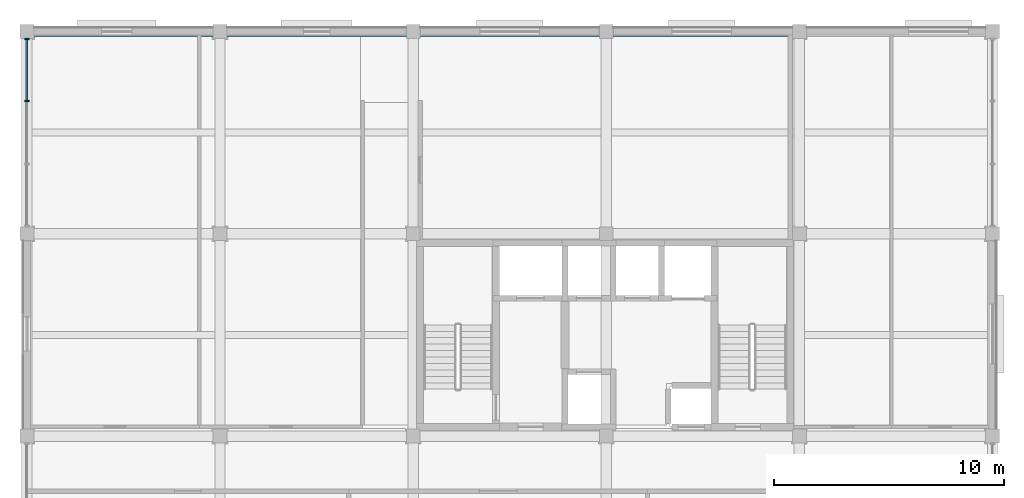
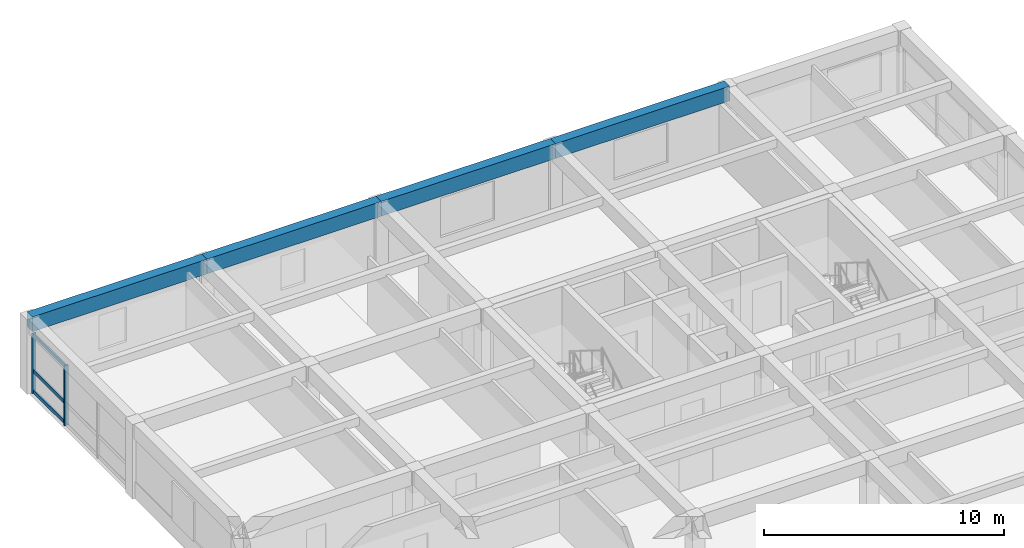
# One storey, part 5 of 14: 5 members, 4 beams, 1 element without a shape of its own.
"""IFC4 building model written with IfcOpenShell, lengths in metres."""

from ifc_helpers import new_model, si_unit, direction, frame, origin, origin_2d, place, context, subcontext, project, spatial, rectangle, extrude, material, material_profile, profile_set, type_object, element, aggregate, save


model = new_model("IFC4")

# Units and contexts
model_context = context("Model", 3, precision=1e-05, world=origin(), true_north=direction((0.0, 1.0)))
body_context = subcontext(model_context, "Body", "Model", "MODEL_VIEW")
ifc_project = project(units=[si_unit("LENGTHUNIT", "METRE"), si_unit("AREAUNIT", "SQUARE_METRE"), si_unit("VOLUMEUNIT", "CUBIC_METRE"), si_unit("PLANEANGLEUNIT", "RADIAN"), si_unit("MASSUNIT", "GRAM", prefix="KILO")], contexts=[model_context])

# Site, building, storey
site_placement = place(None, origin())
site = spatial("IfcSite", under=ifc_project, at=site_placement, CompositionType="ELEMENT")
building_placement = place(site_placement, origin())
building = spatial("IfcBuilding", under=site, at=building_placement, Name="Kemercrest Conservatory and Botanical Centre", CompositionType="ELEMENT")
storey_placement = place(building_placement, frame((0.0, 0.0, 44.39990234375)))
storey = spatial("IfcBuildingStorey", under=building, at=storey_placement, Name="L11", CompositionType="ELEMENT", Elevation=44.39990234375)

# Curtain wall, members
ifc_material_1 = material(Name="Thermally broken aluminium and triple low-e glazing", Category="aluminium")
curtain_wall_type = type_object("IfcCurtainWallType", Name="CW-07", PredefinedType="USERDEFINED", material=ifc_material_1)
curtain_wall_placement = place(storey_placement, origin())
curtain_wall = element("IfcCurtainWall", 1, at=curtain_wall_placement, inside=storey, type_object=curtain_wall_type, Name="Unitised curtain wall CW-07 (CW:L11:V4-126)", ObjectType="UNITISED CURTAIN WALL", PredefinedType="USERDEFINED")
ifc_material_2 = material(Name="Thermally broken anodized aluminium 6063-T6", Category="aluminium")
ifc_material_profile_1 = material_profile(ifc_material_2, rectangle(XDim=0.199951171875, YDim=0.06494140625, at=origin_2d()), Name="AL MULLION 65x200")
ifc_profile_set_1 = profile_set([ifc_material_profile_1], Name="Thermally broken anodized aluminium 6063-T6")
member_type_1 = type_object("IfcMemberType", Name="CW-M200", PredefinedType="MULLION", material=ifc_profile_set_1)
member_1_placement = place(storey_placement, frame((134.0, 122.072509765625, 0.0), z_axis=(0.0, 0.0, 1.0), x_axis=(1.0, 0.0, 0.0)))
member_1 = element("IfcMember", 2, at=member_1_placement, type_object=member_type_1, Name="CW-07 mullion 1", PredefinedType="MULLION", context=body_context, shape_type="SweptSolid", body=[
    extrude(rectangle(XDim=0.199951171875, YDim=0.06494140625, at=origin_2d()), origin(), (0.0, 0.0, 1.0), 3.05517578125),
])
member_2_placement = place(storey_placement, frame((134.0, 119.368408203125, 0.0), z_axis=(0.0, 0.0, 1.0), x_axis=(1.0, 0.0, 0.0)))
member_2 = element("IfcMember", 3, at=member_2_placement, type_object=member_type_1, Name="CW-07 mullion 2", PredefinedType="MULLION", context=body_context, shape_type="SweptSolid", body=[
    extrude(rectangle(XDim=0.199951171875, YDim=0.06494140625, at=origin_2d()), origin(), (0.0, 0.0, 1.0), 3.05517578125),
])
ifc_material_profile_2 = material_profile(ifc_material_2, rectangle(XDim=0.074951171875, YDim=0.179931640625, at=origin_2d()), Name="AL TRANSOM 75x180")
ifc_profile_set_2 = profile_set([ifc_material_profile_2], Name="Thermally broken anodized aluminium 6063-T6")
member_type_2 = type_object("IfcMemberType", Name="CW-T180", PredefinedType="USERDEFINED", material=ifc_profile_set_2)
member_3_placement = place(storey_placement, frame((134.0, 122.0400390625, 0.090087890625), z_axis=(0.0, -1.0, 0.0), x_axis=(1.0, 0.0, 0.0)))
member_3 = element("IfcMember", 4, at=member_3_placement, type_object=member_type_2, Name="CW-07 transom 1.1", ObjectType="TRANSOM", PredefinedType="USERDEFINED", context=body_context, shape_type="SweptSolid", body=[
    extrude(rectangle(XDim=0.074951171875, YDim=0.179931640625, at=origin_2d()), origin(), (0.0, 0.0, 1.0), 2.63916015625),
])
member_4_placement = place(storey_placement, frame((134.0, 122.0400390625, 1.1201171875), z_axis=(0.0, -1.0, 0.0), x_axis=(1.0, 0.0, 0.0)))
member_4 = element("IfcMember", 5, at=member_4_placement, type_object=member_type_2, Name="CW-07 transom 1.2", ObjectType="TRANSOM", PredefinedType="USERDEFINED", context=body_context, shape_type="SweptSolid", body=[
    extrude(rectangle(XDim=0.074951171875, YDim=0.179931640625, at=origin_2d()), origin(), (0.0, 0.0, 1.0), 2.63916015625),
])
member_5_placement = place(storey_placement, frame((134.0, 122.0400390625, 2.965087890625), z_axis=(0.0, -1.0, 0.0), x_axis=(1.0, 0.0, 0.0)))
member_5 = element("IfcMember", 6, at=member_5_placement, type_object=member_type_2, Name="CW-07 transom 1.3", ObjectType="TRANSOM", PredefinedType="USERDEFINED", context=body_context, shape_type="SweptSolid", body=[
    extrude(rectangle(XDim=0.074951171875, YDim=0.179931640625, at=origin_2d()), origin(), (0.0, 0.0, 1.0), 2.63916015625),
])
aggregate(curtain_wall, [member_1, member_2, member_3, member_4, member_5])

# Beams
ifc_material_3 = material(Name="Concrete C40/50", Category="concrete")
ifc_material_profile_3 = material_profile(ifc_material_3, rectangle(XDim=0.449951171875, YDim=0.75, at=origin_2d()), Name="RC 450x750")
ifc_profile_set_3 = profile_set([ifc_material_profile_3], Name="Concrete C40/50")
beam_type = type_object("IfcBeamType", Name="SP-RC75", PredefinedType="SPANDREL", material=ifc_profile_set_3)
beam_1_placement = place(storey_placement, frame((134.0, 122.39990234375, 3.425048828125), z_axis=(1.0, 0.0, 0.0), x_axis=(0.0, 1.0, 0.0)))
element("IfcBeam", 7, at=beam_1_placement, inside=storey, type_object=beam_type, Name="V4-L12 beam SP-RC75 P/16-17", PredefinedType="SPANDREL", context=body_context, shape_type="SweptSolid", body=[
    extrude(rectangle(XDim=0.449951171875, YDim=0.75, at=origin_2d()), origin(), (0.0, 0.0, 1.0), 8.39990234375),
])
beam_2_placement = place(storey_placement, frame((142.39990234375, 122.39990234375, 3.425048828125), z_axis=(1.0, 0.0, 0.0), x_axis=(0.0, 1.0, 0.0)))
element("IfcBeam", 8, at=beam_2_placement, inside=storey, type_object=beam_type, Name="V4-L12 beam SP-RC75 P/17-18", PredefinedType="SPANDREL", context=body_context, shape_type="SweptSolid", body=[
    extrude(rectangle(XDim=0.449951171875, YDim=0.75, at=origin_2d()), origin(), (0.0, 0.0, 1.0), 8.400146484375),
])
beam_3_placement = place(storey_placement, frame((150.800048828125, 122.39990234375, 3.425048828125), z_axis=(1.0, 0.0, 0.0), x_axis=(0.0, 1.0, 0.0)))
element("IfcBeam", 9, at=beam_3_placement, inside=storey, type_object=beam_type, Name="V4-L12 beam SP-RC75 P/18-19", PredefinedType="SPANDREL", context=body_context, shape_type="SweptSolid", body=[
    extrude(rectangle(XDim=0.449951171875, YDim=0.75, at=origin_2d()), origin(), (0.0, 0.0, 1.0), 8.39990234375),
])
beam_4_placement = place(storey_placement, frame((159.199951171875, 122.39990234375, 3.425048828125), z_axis=(1.0, 0.0, 0.0), x_axis=(0.0, 1.0, 0.0)))
element("IfcBeam", 10, at=beam_4_placement, inside=storey, type_object=beam_type, Name="V4-L12 beam SP-RC75 P/19-20", PredefinedType="SPANDREL", context=body_context, shape_type="SweptSolid", body=[
    extrude(rectangle(XDim=0.449951171875, YDim=0.75, at=origin_2d()), origin(), (0.0, 0.0, 1.0), 8.400146484375),
])

save(model, "model.ifc")
